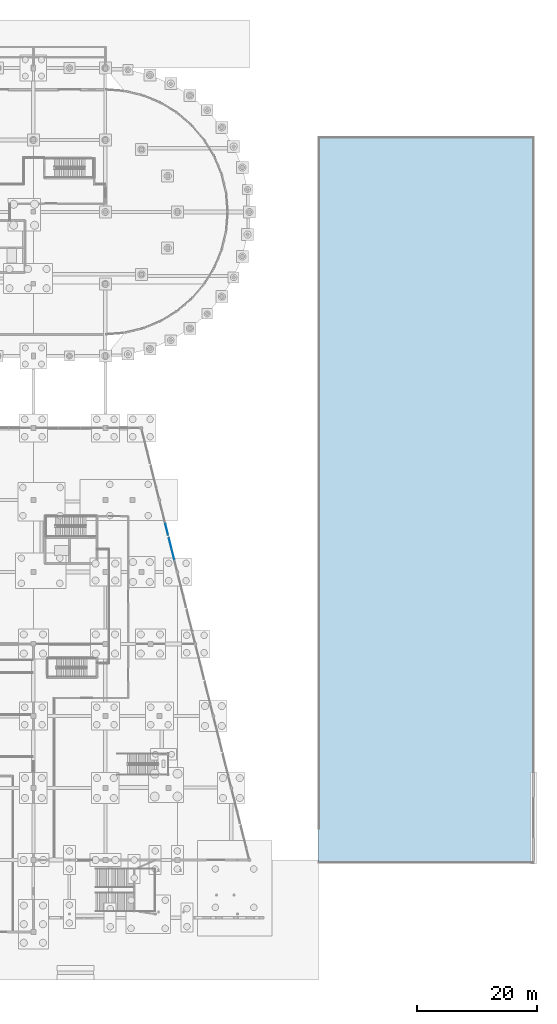
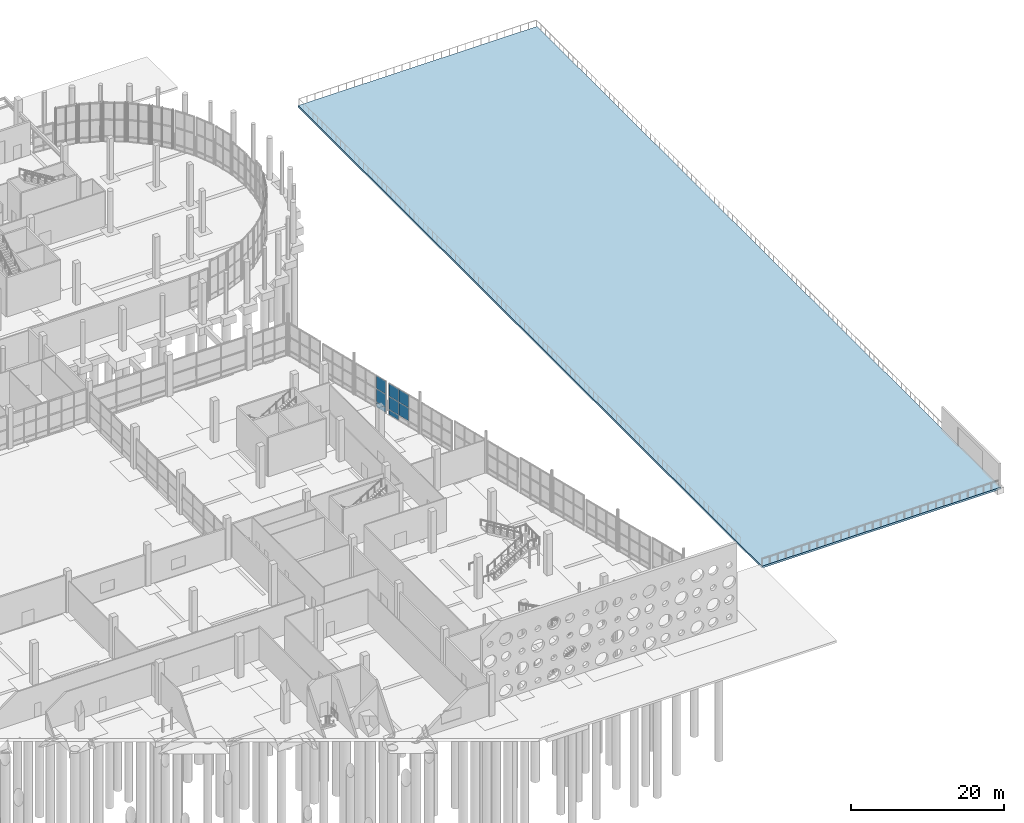
# One storey, part 70 of 117: 8 plates, 1 slab, 2 elements without a shape of their own.
"""IFC4 building model written with IfcOpenShell, lengths in metres."""

import ifcopenshell
import ifcopenshell.guid

model = None  # the IFC model being written
_history = None  # IfcOwnerHistory: only IFC2X3 demands one
_inside = {}  # id of a spatial element -> (the spatial element, [elements in it])
_under = {}  # id of a project, library or spatial element -> (it, [spatial elements below it])
_declared = {}  # id of a project -> (the project, [libraries it declares])
_typed = {}  # id of a type object -> (the type object, [elements of that type])
_made_of = {}  # id of a material, layer set ... -> (it, [elements and type objects made of it])


def new_model(schema):
    """Start an empty IFC model of exactly this schema.

    Asked for "IFC4X3", IfcOpenShell would pick the latest addendum, in which some entities
    have other attributes; the version numbers below select the first issue.
    IFC2X3 requires an IfcOwnerHistory on every rooted entity: one is made here for all.
    """
    global model, _history
    if schema == "IFC4X3":
        model = ifcopenshell.file(schema_version=(4, 3, 0, 0))
    else:
        model = ifcopenshell.file(schema=schema)
    _inside.clear()
    _under.clear()
    _declared.clear()
    _typed.clear()
    _made_of.clear()
    _history = None
    if model.schema == "IFC2X3":
        org = make("IfcOrganization", Name="unknown")
        user = make(
            "IfcPersonAndOrganization",
            ThePerson=make("IfcPerson", FamilyName="unknown"),
            TheOrganization=org,
        )
        app = make(
            "IfcApplication",
            ApplicationDeveloper=org,
            Version="unknown",
            ApplicationFullName="unknown",
            ApplicationIdentifier="unknown",
        )
        _history = make(
            "IfcOwnerHistory",
            OwningUser=user,
            OwningApplication=app,
            ChangeAction="ADDED",
            CreationDate=0,
        )
    return model


def make(cls, **values):
    """One entity of the class cls with the attributes given. An attribute that is None is left unset."""
    return model.create_entity(
        cls, **{name: value for name, value in values.items() if value is not None}
    )


def rooted(cls, **values):
    """An entity with a GlobalId (a new one), such as an element, a storey or a relation."""
    return make(cls, GlobalId=ifcopenshell.guid.new(), OwnerHistory=_history, **values)


def si_unit(unit_type, name, prefix=None):
    """IfcSIUnit, for example si_unit("LENGTHUNIT", "METRE", prefix="MILLI")."""
    return make("IfcSIUnit", UnitType=unit_type, Prefix=prefix, Name=name)


def assignment(units):
    """IfcUnitAssignment: the units of a project."""
    return None if units is None else make("IfcUnitAssignment", Units=units)


def point(xyz):
    """IfcCartesianPoint."""
    return None if xyz is None else make("IfcCartesianPoint", Coordinates=xyz)


def direction(xyz):
    """IfcDirection."""
    return None if xyz is None else make("IfcDirection", DirectionRatios=xyz)


def frame(location, z_axis=None, x_axis=None):
    """IfcAxis2Placement3D, a coordinate frame: its origin and axes. An axis left out is left unset."""
    return make(
        "IfcAxis2Placement3D",
        Location=point(location),
        Axis=direction(z_axis),
        RefDirection=direction(x_axis),
    )


def frame_2d(location, x_axis=None):
    """IfcAxis2Placement2D, a coordinate frame in the plane: its origin and x axis."""
    return make(
        "IfcAxis2Placement2D", Location=point(location), RefDirection=direction(x_axis)
    )


def origin():
    """The frame at (0, 0, 0) with its axes left unset."""
    return frame((0.0, 0.0, 0.0))


def origin_2d():
    """The frame at (0, 0) in the plane with its x axis left unset."""
    return frame_2d((0.0, 0.0))


def place(relative_to, where):
    """IfcLocalPlacement: puts the frame where relative to a parent placement (None: the world)."""
    return make(
        "IfcLocalPlacement", PlacementRelTo=relative_to, RelativePlacement=where
    )


def context(
    kind, dimensions, precision=None, world=None, true_north=None, identifier=None
):
    """IfcGeometricRepresentationContext, for example the 3D "Model" context."""
    return make(
        "IfcGeometricRepresentationContext",
        ContextIdentifier=identifier,
        ContextType=kind,
        CoordinateSpaceDimension=dimensions,
        Precision=precision,
        WorldCoordinateSystem=world,
        TrueNorth=true_north,
    )


def subcontext(parent, identifier, kind, view, scale=None):
    """IfcGeometricRepresentationSubContext, for example "Body" below "Model"."""
    return make(
        "IfcGeometricRepresentationSubContext",
        ContextIdentifier=identifier,
        ContextType=kind,
        ParentContext=parent,
        TargetScale=scale,
        TargetView=view,
    )


def project(units=None, contexts=None):
    """IfcProject with its units and contexts."""
    return rooted(
        "IfcProject",
        Name="project",
        RepresentationContexts=contexts,
        UnitsInContext=assignment(units),
    )


def spatial(cls, under=None, at=None, **own):
    """A site, building, storey or space (cls), placed at a placement, below another one or the project."""
    s = rooted(cls, ObjectPlacement=at, **own)
    if under is not None:
        _under.setdefault(under.id(), (under, []))[1].append(s)
    return s


def polyline(points):
    """IfcPolyline through the points."""
    return make("IfcPolyline", Points=[point(p) for p in points])


def profile(cls, at=None, kind="AREA", **sizes):
    """A parametric profile (cls). Its sizes go by their IFC names, for example OverallWidth=200.0."""
    return make(cls, ProfileType=kind, Position=at, **sizes)


def rectangle(**sizes):
    """IfcRectangleProfileDef."""
    return profile("IfcRectangleProfileDef", **sizes)


def outline(outer, holes=None, kind="AREA"):
    """IfcArbitraryClosedProfileDef: a profile drawn as a closed curve; with holes, ...WithVoids."""
    if holes is None:
        return make("IfcArbitraryClosedProfileDef", ProfileType=kind, OuterCurve=outer)
    return make(
        "IfcArbitraryProfileDefWithVoids",
        ProfileType=kind,
        OuterCurve=outer,
        InnerCurves=holes,
    )


def extrude(swept, where, along, depth):
    """IfcExtrudedAreaSolid: the profile swept, set in the frame where, extruded along a direction by depth."""
    return make(
        "IfcExtrudedAreaSolid",
        SweptArea=swept,
        Position=where,
        ExtrudedDirection=direction(along),
        Depth=depth,
    )


def shape(context_of_items, identifier, shape_type, items):
    """IfcShapeRepresentation: the items that make up one representation, for example the "Body"."""
    return make(
        "IfcShapeRepresentation",
        ContextOfItems=context_of_items,
        RepresentationIdentifier=identifier,
        RepresentationType=shape_type,
        Items=items,
    )


def material(Name=None, Category=None):
    """IfcMaterial."""
    return make("IfcMaterial", Name=Name, Category=Category)


def layer(
    of_material, thickness, ventilated=None, Name=None, Category=None, Priority=None
):
    """IfcMaterialLayer: one layer of a wall or slab, of a material (None: an air gap)."""
    return make(
        "IfcMaterialLayer",
        Material=of_material,
        LayerThickness=thickness,
        IsVentilated=ventilated,
        Name=Name,
        Category=Category,
        Priority=Priority,
    )


def layer_set(layers, Name=None):
    """IfcMaterialLayerSet."""
    return make("IfcMaterialLayerSet", MaterialLayers=layers, LayerSetName=Name)


def made_of(thing, what):
    """Note that an element or type object is made of a material, layer set ...; save() writes the relation."""
    if what is not None:
        _made_of.setdefault(what.id(), (what, []))[1].append(thing)
    return thing


def type_object(cls, material=None, **own):
    """A type object (cls), such as IfcWallType, which elements share."""
    return made_of(rooted(cls, **own), material)


def element(
    cls,
    number,
    at=None,
    inside=None,
    cuts=None,
    type_object=None,
    material=None,
    context=None,
    identifier="Body",
    shape_type=None,
    held_by="IfcProductDefinitionShape",
    body=None,
    shapes=None,
    **own,
):
    """One element of the class cls, such as IfcWall. Its Tag is "e" and its number.

    at: its placement. inside: the storey or other place that contains it. cuts: it is an
    opening in that element (IfcRelVoidsElement). A single representation is given by context,
    identifier, shape_type and body (its items); several are given by shapes. held_by: the class
    of the entity that holds the representations. save() writes the other relations.
    """
    e = rooted(cls, Tag="e%d" % number, ObjectPlacement=at, **own)
    if body is not None:
        shapes = [shape(context, identifier, shape_type, body)]
    if shapes is not None:
        e.Representation = make(held_by, Representations=shapes)
    if inside is not None:
        _inside.setdefault(inside.id(), (inside, []))[1].append(e)
    if cuts is not None:
        rooted(
            "IfcRelVoidsElement", RelatingBuildingElement=cuts, RelatedOpeningElement=e
        )
    if type_object is not None:
        _typed.setdefault(type_object.id(), (type_object, []))[1].append(e)
    return made_of(e, material)


def aggregate(whole, parts):
    """IfcRelAggregates: a whole, such as a stair, and the parts it consists of."""
    return rooted("IfcRelAggregates", RelatingObject=whole, RelatedObjects=parts)


def save(model, path):
    """Write the relations noted so far, then the file.

    IfcRelAggregates (storeys below a building ...), IfcRelContainedInSpatialStructure (elements
    in a storey), IfcRelDefinesByType, IfcRelAssociatesMaterial and IfcRelDeclares: one each for
    every whole, place, type object, material and project.
    """
    for whole, parts in _under.values():
        aggregate(whole, parts)
    for where, things in _inside.values():
        rooted(
            "IfcRelContainedInSpatialStructure",
            RelatedElements=things,
            RelatingStructure=where,
        )
    for kind, things in _typed.values():
        rooted("IfcRelDefinesByType", RelatedObjects=things, RelatingType=kind)
    for what, things in _made_of.values():
        rooted("IfcRelAssociatesMaterial", RelatedObjects=things, RelatingMaterial=what)
    for by, libraries in _declared.values():
        rooted("IfcRelDeclares", RelatingContext=by, RelatedDefinitions=libraries)
    model.write(path)


model = new_model("IFC4")

# Units and contexts
model_context = context("Model", 3, precision=1e-05, world=origin(), true_north=direction((0.0, 1.0)))
body_context = subcontext(model_context, "Body", "Model", "MODEL_VIEW")
ifc_project = project(units=[si_unit("LENGTHUNIT", "METRE"), si_unit("AREAUNIT", "SQUARE_METRE"), si_unit("VOLUMEUNIT", "CUBIC_METRE"), si_unit("PLANEANGLEUNIT", "RADIAN"), si_unit("MASSUNIT", "GRAM", prefix="KILO")], contexts=[model_context])

# Site, building, storey
site_placement = place(None, origin())
site = spatial("IfcSite", under=ifc_project, at=site_placement, CompositionType="ELEMENT")
building_placement = place(site_placement, origin())
building = spatial("IfcBuilding", under=site, at=building_placement, Name="Kamomehara Wholesale Market", CompositionType="ELEMENT")
storey_placement = place(building_placement, origin())
storey = spatial("IfcBuildingStorey", under=building, at=storey_placement, Name="L00", CompositionType="ELEMENT", Elevation=0.0)

# Curtain wall, plates
ifc_material_1 = material(Name="Anodised aluminium 6063-T5", Category="aluminium")
curtain_wall_type = type_object("IfcCurtainWallType", Name="CW-UN-09", PredefinedType="NOTDEFINED", material=ifc_material_1)
curtain_wall_1_placement = place(storey_placement, origin())
curtain_wall_1 = element("IfcCurtainWall", 1, at=curtain_wall_1_placement, inside=storey, type_object=curtain_wall_type, Name="Unitised curtain wall CW-167", PredefinedType="NOTDEFINED")
ifc_material_2 = material(Name="Solar-control Low-E double glazing", Category="glass")
ifc_layer_1 = layer(ifc_material_2, 0.028076171875)
ifc_layer_set_1 = layer_set([ifc_layer_1], Name="Solar-control Low-E double glazing")
plate_type_1 = type_object("IfcPlateType", Name="CW-PNL-GLZ", PredefinedType="CURTAIN_PANEL", material=ifc_layer_set_1)
plate_1_placement = place(storey_placement, frame((190.25390625, 79.070068359375, 0.87939453125), z_axis=(0.0, 0.0, 1.0), x_axis=(0.242616162662, -0.970122362187, 0.0)))
plate_1 = element("IfcPlate", 2, at=plate_1_placement, type_object=plate_type_1, Name="Curtain panel CW-167.2.1", PredefinedType="CURTAIN_PANEL", context=body_context, shape_type="SweptSolid", body=[
    extrude(rectangle(XDim=1.81494140625, YDim=0.028076171875, at=origin_2d()), origin(), (0.0, 0.0, 1.0), 2.0791015625),
])
plate_2_placement = place(storey_placement, frame((190.25390625, 79.070068359375, 3.0185546875), z_axis=(0.0, 0.0, 1.0), x_axis=(0.242616162662, -0.970122362187, 0.0)))
plate_2 = element("IfcPlate", 3, at=plate_2_placement, type_object=plate_type_1, Name="Curtain panel CW-167.2.2", PredefinedType="CURTAIN_PANEL", context=body_context, shape_type="SweptSolid", body=[
    extrude(rectangle(XDim=1.81494140625, YDim=0.028076171875, at=origin_2d()), origin(), (0.0, 0.0, 1.0), 2.0390625),
])

curtain_wall_2_placement = place(storey_placement, origin())
curtain_wall_2 = element("IfcCurtainWall", 4, at=curtain_wall_2_placement, inside=storey, type_object=curtain_wall_type, Name="Unitised curtain wall CW-168", PredefinedType="NOTDEFINED")
plate_3_placement = place(storey_placement, frame((190.83203125, 76.756103515625, 0.8798828125), z_axis=(0.0, 0.0, 1.0), x_axis=(0.242497638046, -0.970151996103, 0.0)))
plate_3 = element("IfcPlate", 5, at=plate_3_placement, type_object=plate_type_1, Name="Curtain panel CW-168.0.1", PredefinedType="CURTAIN_PANEL", context=body_context, shape_type="SweptSolid", body=[
    extrude(rectangle(XDim=1.7939453125, YDim=0.028076171875, at=origin_2d()), origin(), (0.0, 0.0, 1.0), 2.053955078125),
])
plate_4_placement = place(storey_placement, frame((190.83203125, 76.756103515625, 2.994140625), z_axis=(0.0, 0.0, 1.0), x_axis=(0.242497638046, -0.970151996103, 0.0)))
plate_4 = element("IfcPlate", 6, at=plate_4_placement, type_object=plate_type_1, Name="Curtain panel CW-168.0.2", PredefinedType="CURTAIN_PANEL", context=body_context, shape_type="SweptSolid", body=[
    extrude(rectangle(XDim=1.7939453125, YDim=0.028076171875, at=origin_2d()), origin(), (0.0, 0.0, 1.0), 2.013916015625),
])
plate_5_placement = place(storey_placement, frame((191.285888671875, 74.93798828125, 0.8798828125), z_axis=(0.0, 0.0, 1.0), x_axis=(0.242497638046, -0.970151996103, 0.0)))
plate_5 = element("IfcPlate", 7, at=plate_5_placement, type_object=plate_type_1, Name="Curtain panel CW-168.1.1", PredefinedType="CURTAIN_PANEL", context=body_context, shape_type="SweptSolid", body=[
    extrude(rectangle(XDim=1.7939453125, YDim=0.028076171875, at=origin_2d()), origin(), (0.0, 0.0, 1.0), 2.053955078125),
])
plate_6_placement = place(storey_placement, frame((191.285888671875, 74.93798828125, 2.994140625), z_axis=(0.0, 0.0, 1.0), x_axis=(0.242497638046, -0.970151996103, 0.0)))
plate_6 = element("IfcPlate", 8, at=plate_6_placement, type_object=plate_type_1, Name="Curtain panel CW-168.1.2", PredefinedType="CURTAIN_PANEL", context=body_context, shape_type="SweptSolid", body=[
    extrude(rectangle(XDim=1.7939453125, YDim=0.028076171875, at=origin_2d()), origin(), (0.0, 0.0, 1.0), 2.013916015625),
])

# Plate
ifc_material_3 = material(Name="Insulated aluminium spandrel panel", Category="aluminium")
ifc_layer_2 = layer(ifc_material_3, 0.0400390625)
ifc_layer_set_2 = layer_set([ifc_layer_2], Name="Insulated aluminium spandrel panel")
plate_type_2 = type_object("IfcPlateType", Name="CW-PNL-SPN", PredefinedType="CURTAIN_PANEL", material=ifc_layer_set_2)
plate_7_placement = place(storey_placement, frame((190.25390625, 79.070068359375, 0.070068359375), z_axis=(0.0, 0.0, 1.0), x_axis=(0.242616162662, -0.970122362187, 0.0)))
plate_7 = element("IfcPlate", 9, at=plate_7_placement, type_object=plate_type_2, Name="Curtain panel CW-167.2.0", PredefinedType="CURTAIN_PANEL", context=body_context, shape_type="SweptSolid", body=[
    extrude(rectangle(XDim=1.81494140625, YDim=0.0400390625, at=origin_2d()), origin(), (0.0, 0.0, 1.0), 0.75),
])

aggregate(curtain_wall_1, [plate_7, plate_1, plate_2])

plate_8_placement = place(storey_placement, frame((190.83203125, 76.756103515625, 0.070068359375), z_axis=(0.0, 0.0, 1.0), x_axis=(0.242497638046, -0.970151996103, 0.0)))
plate_8 = element("IfcPlate", 10, at=plate_8_placement, type_object=plate_type_2, Name="Curtain panel CW-168.0.0", PredefinedType="CURTAIN_PANEL", context=body_context, shape_type="SweptSolid", body=[
    extrude(rectangle(XDim=1.7939453125, YDim=0.0400390625, at=origin_2d()), origin(), (0.0, 0.0, 1.0), 0.75),
])

aggregate(curtain_wall_2, [plate_8, plate_3, plate_4, plate_5, plate_6])

# Slab
ifc_material_4 = material(Name="Concrete Fc30 (C30/37)", Category="concrete")
ifc_layer_3 = layer(ifc_material_4, 0.31494140625)
ifc_layer_set_3 = layer_set([ifc_layer_3], Name="Concrete Fc30 (C30/37)")
slab_type = type_object("IfcSlabType", Name="SLB-EXT-200", PredefinedType="FLOOR", material=ifc_layer_set_3)
slab_placement = place(storey_placement, frame((0.0, 0.0, -0.31494140625)))
element("IfcSlab", 11, at=slab_placement, inside=storey, type_object=slab_type, Name="Surface car park slab", PredefinedType="FLOOR", context=body_context, shape_type="SweptSolid", body=[
    extrude(outline(polyline([(215.5, 23.5), (251.5, 23.5), (251.5, 144.5), (215.5, 144.5), (215.5, 23.5)])), origin(), (0.0, 0.0, 1.0), 0.31494140625),
])

save(model, "model.ifc")
